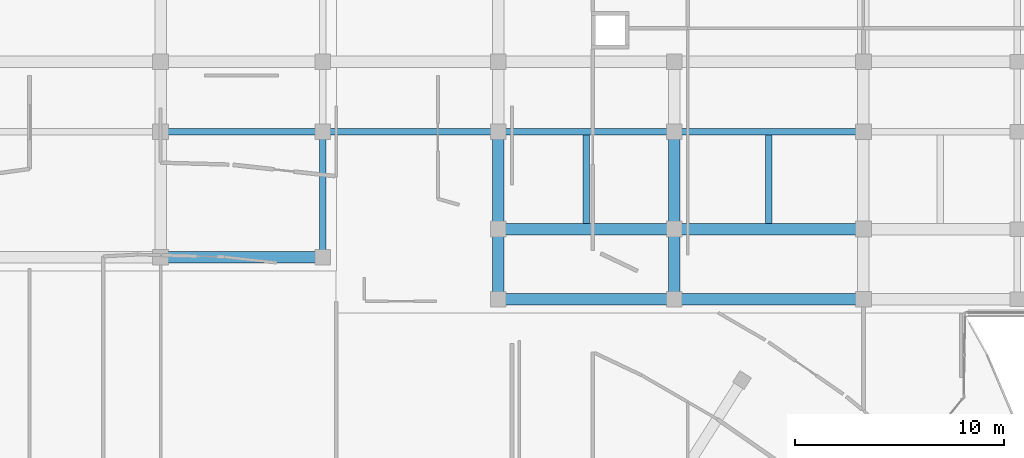
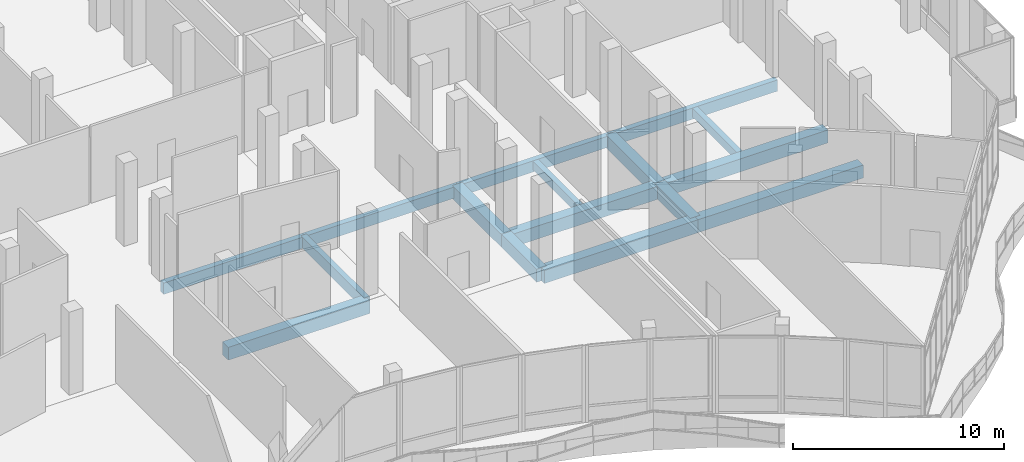
# One storey, part 99 of 155: 16 beams.
"""IFC4 building model written with IfcOpenShell, lengths in metres."""

from ifc_helpers import new_model, si_unit, direction, frame, origin, origin_2d, place, context, subcontext, project, spatial, rectangle, extrude, material, material_profile, profile_set, type_object, element, save


model = new_model("IFC4")

# Units and contexts
model_context = context("Model", 3, precision=1e-05, world=origin(), true_north=direction((0.0, 1.0)))
body_context = subcontext(model_context, "Body", "Model", "MODEL_VIEW")
ifc_project = project(units=[si_unit("LENGTHUNIT", "METRE"), si_unit("AREAUNIT", "SQUARE_METRE"), si_unit("VOLUMEUNIT", "CUBIC_METRE"), si_unit("PLANEANGLEUNIT", "RADIAN"), si_unit("MASSUNIT", "GRAM", prefix="KILO")], contexts=[model_context])

# Site, building, storey
site_placement = place(None, origin())
site = spatial("IfcSite", under=ifc_project, at=site_placement, CompositionType="ELEMENT")
building_placement = place(site_placement, origin())
building = spatial("IfcBuilding", under=site, at=building_placement, Name="Selatvlak General Hospital", CompositionType="ELEMENT")
storey_placement = place(building_placement, frame((0.0, 0.0, 10.199951171875)))
storey = spatial("IfcBuildingStorey", under=building, at=storey_placement, Name="L02", CompositionType="ELEMENT", Elevation=10.199951171875)

# Beams
ifc_material = material(Name="Concrete C40/50", Category="concrete")
ifc_material_profile_1 = material_profile(ifc_material, rectangle(XDim=0.550048828125, YDim=0.75, at=origin_2d()), Name="RC-BM 550x750")
ifc_profile_set_1 = profile_set([ifc_material_profile_1], Name="Concrete C40/50")
beam_type_1 = type_object("IfcBeamType", Name="BM-G02", PredefinedType="BEAM", material=ifc_profile_set_1)
beam_1_placement = place(storey_placement, frame((156.550048828125, 64.64990234375, -0.72998046875), z_axis=(1.0, 0.0, 0.0), x_axis=(0.0, 1.0, 0.0)))
element("IfcBeam", 1, at=beam_1_placement, inside=storey, type_object=beam_type_1, Name="Beam BMR-L02-0774", PredefinedType="BEAM", context=body_context, shape_type="SweptSolid", body=[
    extrude(rectangle(XDim=0.550048828125, YDim=0.75, at=origin_2d()), origin(), (0.0, 0.0, 1.0), 8.39990234375),
])
beam_2_placement = place(storey_placement, frame((164.949951171875, 64.64990234375, -0.72998046875), z_axis=(1.0, 0.0, 0.0), x_axis=(0.0, 1.0, 0.0)))
element("IfcBeam", 2, at=beam_2_placement, inside=storey, type_object=beam_type_1, Name="Beam BMR-L02-0775", PredefinedType="BEAM", context=body_context, shape_type="SweptSolid", body=[
    extrude(rectangle(XDim=0.550048828125, YDim=0.75, at=origin_2d()), origin(), (0.0, 0.0, 1.0), 9.050048828125),
])
beam_3_placement = place(storey_placement, frame((140.39990234375, 66.64990234375, -0.72998046875), z_axis=(1.0, 0.0, 0.0), x_axis=(0.0, 1.0, 0.0)))
element("IfcBeam", 3, at=beam_3_placement, inside=storey, type_object=beam_type_1, Name="Beam BMR-L02-0780", PredefinedType="BEAM", context=body_context, shape_type="SweptSolid", body=[
    extrude(rectangle(XDim=0.550048828125, YDim=0.75, at=origin_2d()), origin(), (0.0, 0.0, 1.0), 7.75),
])
beam_4_placement = place(storey_placement, frame((156.550048828125, 68.0, -0.72998046875), z_axis=(1.0, 0.0, 0.0), x_axis=(0.0, 1.0, 0.0)))
element("IfcBeam", 4, at=beam_4_placement, inside=storey, type_object=beam_type_1, Name="Beam BMR-L02-0787", PredefinedType="BEAM", context=body_context, shape_type="SweptSolid", body=[
    extrude(rectangle(XDim=0.550048828125, YDim=0.75, at=origin_2d()), origin(), (0.0, 0.0, 1.0), 8.39990234375),
])
beam_5_placement = place(storey_placement, frame((164.949951171875, 68.0, -0.72998046875), z_axis=(1.0, 0.0, 0.0), x_axis=(0.0, 1.0, 0.0)))
element("IfcBeam", 5, at=beam_5_placement, inside=storey, type_object=beam_type_1, Name="Beam BMR-L02-0788", PredefinedType="BEAM", context=body_context, shape_type="SweptSolid", body=[
    extrude(rectangle(XDim=0.550048828125, YDim=0.75, at=origin_2d()), origin(), (0.0, 0.0, 1.0), 9.050048828125),
])
beam_6_placement = place(storey_placement, frame((156.550048828125, 64.64990234375, -0.72998046875), z_axis=(0.0, 1.0, 0.0), x_axis=(-1.0, 0.0, 0.0)))
element("IfcBeam", 6, at=beam_6_placement, inside=storey, type_object=beam_type_1, Name="Beam BMR-L02-1044", PredefinedType="BEAM", context=body_context, shape_type="SweptSolid", body=[
    extrude(rectangle(XDim=0.550048828125, YDim=0.75, at=origin_2d()), origin(), (0.0, 0.0, 1.0), 3.35009765625),
])
beam_7_placement = place(storey_placement, frame((156.550048828125, 68.0, -0.72998046875), z_axis=(0.0, 1.0, 0.0), x_axis=(-1.0, 0.0, 0.0)))
element("IfcBeam", 7, at=beam_7_placement, inside=storey, type_object=beam_type_1, Name="Beam BMR-L02-1045", PredefinedType="BEAM", context=body_context, shape_type="SweptSolid", body=[
    extrude(rectangle(XDim=0.550048828125, YDim=0.75, at=origin_2d()), origin(), (0.0, 0.0, 1.0), 4.64990234375),
])
beam_8_placement = place(storey_placement, frame((164.949951171875, 64.64990234375, -0.72998046875), z_axis=(0.0, 1.0, 0.0), x_axis=(-1.0, 0.0, 0.0)))
element("IfcBeam", 8, at=beam_8_placement, inside=storey, type_object=beam_type_1, Name="Beam BMR-L02-1054", PredefinedType="BEAM", context=body_context, shape_type="SweptSolid", body=[
    extrude(rectangle(XDim=0.550048828125, YDim=0.75, at=origin_2d()), origin(), (0.0, 0.0, 1.0), 3.35009765625),
])
beam_9_placement = place(storey_placement, frame((164.949951171875, 68.0, -0.72998046875), z_axis=(0.0, 1.0, 0.0), x_axis=(-1.0, 0.0, 0.0)))
element("IfcBeam", 9, at=beam_9_placement, inside=storey, type_object=beam_type_1, Name="Beam BMR-L02-1055", PredefinedType="BEAM", context=body_context, shape_type="SweptSolid", body=[
    extrude(rectangle(XDim=0.550048828125, YDim=0.75, at=origin_2d()), origin(), (0.0, 0.0, 1.0), 4.64990234375),
])
ifc_material_profile_2 = material_profile(ifc_material, rectangle(XDim=0.300048828125, YDim=0.5, at=origin_2d()), Name="RC-BM 300x500")
ifc_profile_set_2 = profile_set([ifc_material_profile_2], Name="Concrete C40/50")
beam_type_2 = type_object("IfcBeamType", Name="BM-J02", PredefinedType="JOIST", material=ifc_profile_set_2)
for number, where, z_axis, x_axis, name in (
    (10, (160.75, 68.27490234375, -0.60498046875), (0.0, 1.0, 0.0), (-1.0, 0.0, 0.0), "Beam BMR-L02-1081"),
    (11, (169.47509765625, 68.27490234375, -0.60498046875), (0.0, 1.0, 0.0), (-1.0, 0.0, 0.0), "Beam BMR-L02-1082"),
):
    element("IfcBeam", number, at=place(storey_placement, frame(where, z_axis=z_axis, x_axis=x_axis)), inside=storey, type_object=beam_type_2, Name=name, PredefinedType="JOIST", context=body_context, shape_type="SweptSolid", body=[
        extrude(rectangle(XDim=0.300048828125, YDim=0.5, at=origin_2d()), origin(), (0.0, 0.0, 1.0), 4.22509765625),
    ])
ifc_material_profile_3 = material_profile(ifc_material, rectangle(XDim=0.300048828125, YDim=0.64990234375, at=origin_2d()), Name="RC-SP 300x650")
ifc_profile_set_3 = profile_set([ifc_material_profile_3], Name="Concrete C40/50")
beam_type_3 = type_object("IfcBeamType", Name="BM-SP1", PredefinedType="SPANDREL", material=ifc_profile_set_3)
beam_10_placement = place(storey_placement, frame((140.39990234375, 72.64990234375, -0.679931640625), z_axis=(1.0, 0.0, 0.0), x_axis=(0.0, 1.0, 0.0)))
element("IfcBeam", 12, at=beam_10_placement, inside=storey, type_object=beam_type_3, Name="Beam BMR-L02-0793", PredefinedType="SPANDREL", context=body_context, shape_type="SweptSolid", body=[
    extrude(rectangle(XDim=0.300048828125, YDim=0.64990234375, at=origin_2d()), origin(), (0.0, 0.0, 1.0), 7.75),
])
beam_11_placement = place(storey_placement, frame((148.14990234375, 72.64990234375, -0.679931640625), z_axis=(1.0, 0.0, 0.0), x_axis=(0.0, 1.0, 0.0)))
element("IfcBeam", 13, at=beam_11_placement, inside=storey, type_object=beam_type_3, Name="Beam BMR-L02-0794", PredefinedType="SPANDREL", context=body_context, shape_type="SweptSolid", body=[
    extrude(rectangle(XDim=0.300048828125, YDim=0.64990234375, at=origin_2d()), origin(), (0.0, 0.0, 1.0), 8.400146484375),
])
beam_12_placement = place(storey_placement, frame((156.550048828125, 72.64990234375, -0.679931640625), z_axis=(1.0, 0.0, 0.0), x_axis=(0.0, 1.0, 0.0)))
element("IfcBeam", 14, at=beam_12_placement, inside=storey, type_object=beam_type_3, Name="Beam BMR-L02-0795", PredefinedType="SPANDREL", context=body_context, shape_type="SweptSolid", body=[
    extrude(rectangle(XDim=0.300048828125, YDim=0.64990234375, at=origin_2d()), origin(), (0.0, 0.0, 1.0), 8.39990234375),
])
beam_13_placement = place(storey_placement, frame((164.949951171875, 72.64990234375, -0.679931640625), z_axis=(1.0, 0.0, 0.0), x_axis=(0.0, 1.0, 0.0)))
element("IfcBeam", 15, at=beam_13_placement, inside=storey, type_object=beam_type_3, Name="Beam BMR-L02-0796", PredefinedType="SPANDREL", context=body_context, shape_type="SweptSolid", body=[
    extrude(rectangle(XDim=0.300048828125, YDim=0.64990234375, at=origin_2d()), origin(), (0.0, 0.0, 1.0), 9.050048828125),
])
beam_14_placement = place(storey_placement, frame((148.14990234375, 66.64990234375, -0.679931640625), z_axis=(0.0, 1.0, 0.0), x_axis=(-1.0, 0.0, 0.0)))
element("IfcBeam", 16, at=beam_14_placement, inside=storey, type_object=beam_type_3, Name="Beam BMR-L02-1037", PredefinedType="SPANDREL", context=body_context, shape_type="SweptSolid", body=[
    extrude(rectangle(XDim=0.300048828125, YDim=0.64990234375, at=origin_2d()), origin(), (0.0, 0.0, 1.0), 6.0),
])

save(model, "model.ifc")
